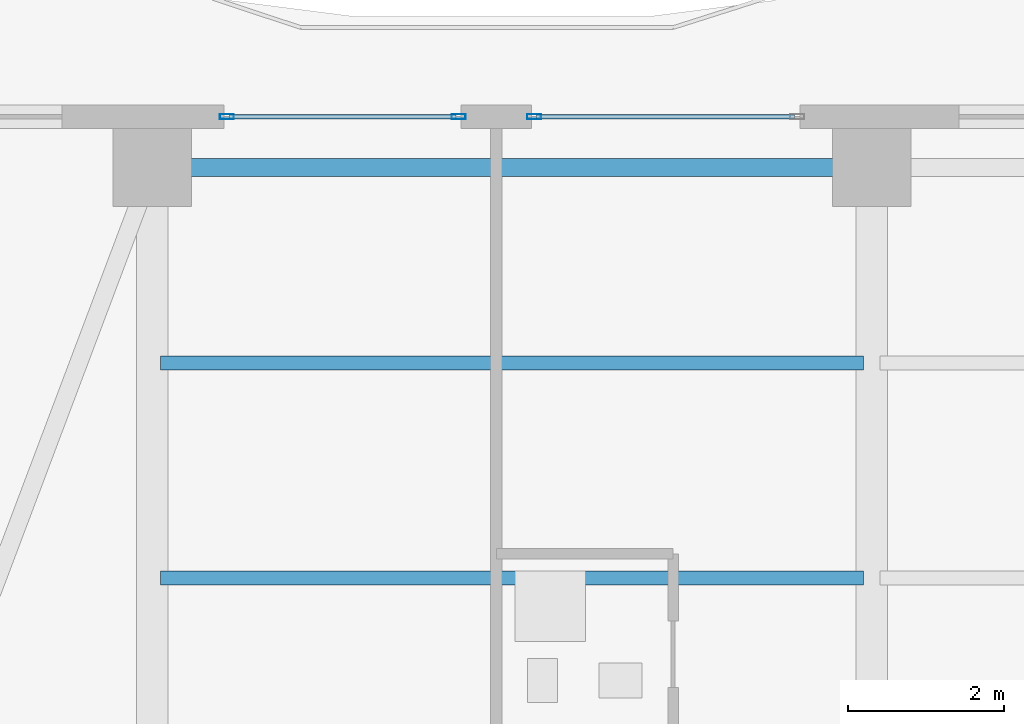
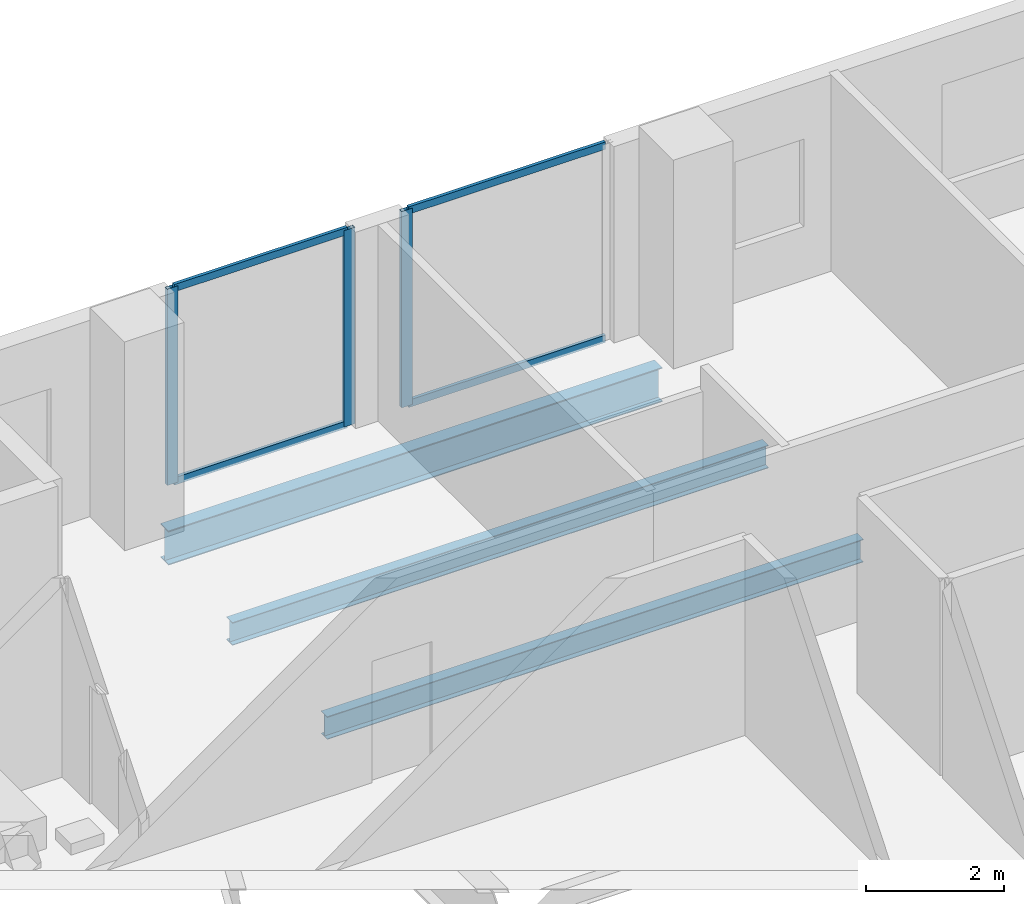
# One storey, part 13 of 24: 7 members, 3 beams, 2 elements without a shape of their own.
"""IFC4 building model written with IfcOpenShell, lengths in metres."""

from ifc_helpers import new_model, si_unit, direction, frame, origin, origin_2d, place, context, subcontext, project, spatial, hollow_rectangle, i_section, extrude, material, layer, layer_set, material_profile, profile_set, type_object, element, aggregate, save


model = new_model("IFC4")

# Units and contexts
model_context = context("Model", 3, precision=1e-05, world=origin(), true_north=direction((0.0, 1.0)))
body_context = subcontext(model_context, "Body", "Model", "MODEL_VIEW")
ifc_project = project(units=[si_unit("LENGTHUNIT", "METRE"), si_unit("AREAUNIT", "SQUARE_METRE"), si_unit("VOLUMEUNIT", "CUBIC_METRE"), si_unit("PLANEANGLEUNIT", "RADIAN"), si_unit("MASSUNIT", "GRAM", prefix="KILO")], contexts=[model_context])

# Site, building, storey
site_placement = place(None, origin())
site = spatial("IfcSite", under=ifc_project, at=site_placement, CompositionType="ELEMENT")
building_placement = place(site_placement, origin())
building = spatial("IfcBuilding", under=site, at=building_placement, Name="Zuhayl Quay Hotel", CompositionType="ELEMENT")
storey_placement = place(building_placement, frame((0.0, 0.0, 280.35009765625)))
storey = spatial("IfcBuildingStorey", under=building, at=storey_placement, Name="L71", CompositionType="ELEMENT", Elevation=280.35009765625)

# Beams
ifc_material_1 = material(Name="Steel ASTM A992 Grade 50", Category="steel")
ifc_material_profile_1 = material_profile(ifc_material_1, i_section(OverallWidth=0.22802734375, OverallDepth=0.60693359375, WebThickness=0.01123046875, FlangeThickness=0.017333984375, at=origin_2d()), Name="W24X76")
ifc_profile_set_1 = profile_set([ifc_material_profile_1], Name="Steel ASTM A992 Grade 50")
beam_type_1 = type_object("IfcBeamType", Name="BM_B3_W24X76", PredefinedType="BEAM", material=ifc_profile_set_1)
beam_placement = place(storey_placement, frame((-5.06005859375, 38.35009765625, -0.523681640625), z_axis=(-1.0, 0.0, 0.0), x_axis=(0.0, -1.0, 0.0)))
element("IfcBeam", 1, at=beam_placement, inside=storey, type_object=beam_type_1, Name="L71 Floor Beam RG_L71_09", PredefinedType="BEAM", context=body_context, shape_type="SweptSolid", body=[
    extrude(i_section(OverallWidth=0.22802734375, OverallDepth=0.60693359375, WebThickness=0.01123046875, FlangeThickness=0.017333984375, at=origin_2d()), origin(), (0.0, 0.0, 1.0), 8.280029296875),
])
ifc_material_profile_2 = material_profile(ifc_material_1, i_section(OverallWidth=0.177978515625, OverallDepth=0.404052734375, WebThickness=0.007568359375, FlangeThickness=0.010986328125, at=origin_2d()), Name="W16X36")
ifc_profile_set_2 = profile_set([ifc_material_profile_2], Name="Steel ASTM A992 Grade 50")
beam_type_2 = type_object("IfcBeamType", Name="BM_J3_W16X36", PredefinedType="JOIST", material=ifc_profile_set_2)
for number, where, z_axis, x_axis, name in (
    (2, (-13.694091796875, 33.10009765625, -0.422119140625), (1.0, 0.0, 0.0), (0.0, 1.0, 0.0), "L71 Floor Beam FJ_L71_7_1"),
    (3, (-13.694091796875, 35.85009765625, -0.422119140625), (1.0, 0.0, 0.0), (0.0, 1.0, 0.0), "L71 Floor Beam FJ_L71_8_1"),
):
    element("IfcBeam", number, at=place(storey_placement, frame(where, z_axis=z_axis, x_axis=x_axis)), inside=storey, type_object=beam_type_2, Name=name, PredefinedType="JOIST", context=body_context, shape_type="SweptSolid", body=[
        extrude(i_section(OverallWidth=0.177978515625, OverallDepth=0.404052734375, WebThickness=0.007568359375, FlangeThickness=0.010986328125, at=origin_2d()), origin(), (0.0, 0.0, 1.0), 8.988037109375),
    ])

# Curtain wall, members
ifc_material_2 = material(Name="Anodised Aluminium 6063-T6", Category="aluminium")
ifc_layer = layer(ifc_material_2, 0.169921875, Name="Anodised Aluminium 6063-T6", Category="aluminium")
ifc_layer_set = layer_set([ifc_layer], Name="Anodised Aluminium 6063-T6")
curtain_wall_type = type_object("IfcCurtainWallType", Name="CW_SYS_Z4", PredefinedType="USERDEFINED", material=ifc_layer_set)
curtain_wall_1_placement = place(storey_placement, origin())
curtain_wall_1 = element("IfcCurtainWall", 4, at=curtain_wall_1_placement, inside=storey, type_object=curtain_wall_type, Name="L71 Curtain Wall ENV_L71_N_CW1", ObjectType="UNITISED CURTAIN WALL", PredefinedType="USERDEFINED")
ifc_material_3 = material(Name="Black-anodised aluminium 6063-T6", Category="aluminium")
ifc_material_profile_3 = material_profile(ifc_material_3, hollow_rectangle(XDim=0.06494140625, YDim=0.179931640625, WallThickness=0.00341796875, at=origin_2d()), Name="ALU180X65")
ifc_profile_set_3 = profile_set([ifc_material_profile_3], Name="Black-anodised aluminium 6063-T6")
member_type_1 = type_object("IfcMemberType", Name="MB_CW_MUL_180", PredefinedType="MULLION", material=ifc_profile_set_3)
member_1_placement = place(storey_placement, frame((-12.847412109375, 39.0, 0.0), z_axis=(0.0, 0.0, 1.0), x_axis=(0.0, 1.0, 0.0)))
member_1 = element("IfcMember", 5, at=member_1_placement, type_object=member_type_1, Name="CW-Z4 mullion 1", PredefinedType="MULLION", context=body_context, shape_type="SweptSolid", body=[
    extrude(hollow_rectangle(XDim=0.06494140625, YDim=0.179931640625, WallThickness=0.00341796875, at=origin_2d()), origin(), (0.0, 0.0, 1.0), 3.47998046875),
])
member_2_placement = place(storey_placement, frame((-9.882568359375, 39.0, 0.0), z_axis=(0.0, 0.0, 1.0), x_axis=(0.0, 1.0, 0.0)))
member_2 = element("IfcMember", 6, at=member_2_placement, type_object=member_type_1, Name="CW-Z4 mullion 2", PredefinedType="MULLION", context=body_context, shape_type="SweptSolid", body=[
    extrude(hollow_rectangle(XDim=0.06494140625, YDim=0.179931640625, WallThickness=0.00341796875, at=origin_2d()), origin(), (0.0, 0.0, 1.0), 3.47998046875),
])

# Curtain wall, member
curtain_wall_2_placement = place(storey_placement, origin())
curtain_wall_2 = element("IfcCurtainWall", 7, at=curtain_wall_2_placement, inside=storey, type_object=curtain_wall_type, Name="L71 Curtain Wall ENV_L71_N_CW2", ObjectType="UNITISED CURTAIN WALL", PredefinedType="USERDEFINED")
member_3_placement = place(storey_placement, frame((-8.91748046875, 39.0, 0.0), z_axis=(0.0, 0.0, 1.0), x_axis=(0.0, 1.0, 0.0)))
member_3 = element("IfcMember", 8, at=member_3_placement, type_object=member_type_1, Name="CW-Z4 mullion 1", PredefinedType="MULLION", context=body_context, shape_type="SweptSolid", body=[
    extrude(hollow_rectangle(XDim=0.06494140625, YDim=0.179931640625, WallThickness=0.00341796875, at=origin_2d()), origin(), (0.0, 0.0, 1.0), 3.47998046875),
])

# Member
ifc_material_profile_4 = material_profile(ifc_material_3, hollow_rectangle(XDim=0.054931640625, YDim=0.1298828125, WallThickness=0.0029296875, at=origin_2d()), Name="ALU130X55")
ifc_profile_set_4 = profile_set([ifc_material_profile_4], Name="Black-anodised aluminium 6063-T6")
member_type_2 = type_object("IfcMemberType", Name="MB_CW_TRN_130", PredefinedType="USERDEFINED", material=ifc_profile_set_4)
member_4_placement = place(storey_placement, frame((-12.81494140625, 39.0, 0.02734375), z_axis=(1.0, 0.0, 0.0), x_axis=(0.0, 1.0, 0.0)))
member_4 = element("IfcMember", 9, at=member_4_placement, type_object=member_type_2, Name="CW-Z4 transom 1.1", ObjectType="TRANSOM", PredefinedType="USERDEFINED", context=body_context, shape_type="SweptSolid", body=[
    extrude(hollow_rectangle(XDim=0.054931640625, YDim=0.1298828125, WallThickness=0.0029296875, at=origin_2d()), origin(), (0.0, 0.0, 1.0), 2.89990234375),
])

member_5_placement = place(storey_placement, frame((-12.81494140625, 39.0, 3.452392578125), z_axis=(1.0, 0.0, 0.0), x_axis=(0.0, 1.0, 0.0)))
member_5 = element("IfcMember", 10, at=member_5_placement, type_object=member_type_2, Name="CW-Z4 transom 1.2", ObjectType="TRANSOM", PredefinedType="USERDEFINED", context=body_context, shape_type="SweptSolid", body=[
    extrude(hollow_rectangle(XDim=0.054931640625, YDim=0.1298828125, WallThickness=0.0029296875, at=origin_2d()), origin(), (0.0, 0.0, 1.0), 2.89990234375),
])

aggregate(curtain_wall_1, [member_1, member_2, member_4, member_5])

member_6_placement = place(storey_placement, frame((-8.885009765625, 39.0, 0.02734375), z_axis=(1.0, 0.0, 0.0), x_axis=(0.0, 1.0, 0.0)))
member_6 = element("IfcMember", 11, at=member_6_placement, type_object=member_type_2, Name="CW-Z4 transom 1.1", ObjectType="TRANSOM", PredefinedType="USERDEFINED", context=body_context, shape_type="SweptSolid", body=[
    extrude(hollow_rectangle(XDim=0.054931640625, YDim=0.1298828125, WallThickness=0.0029296875, at=origin_2d()), origin(), (0.0, 0.0, 1.0), 3.300048828125),
])

member_7_placement = place(storey_placement, frame((-8.885009765625, 39.0, 3.452392578125), z_axis=(1.0, 0.0, 0.0), x_axis=(0.0, 1.0, 0.0)))
member_7 = element("IfcMember", 12, at=member_7_placement, type_object=member_type_2, Name="CW-Z4 transom 1.2", ObjectType="TRANSOM", PredefinedType="USERDEFINED", context=body_context, shape_type="SweptSolid", body=[
    extrude(hollow_rectangle(XDim=0.054931640625, YDim=0.1298828125, WallThickness=0.0029296875, at=origin_2d()), origin(), (0.0, 0.0, 1.0), 3.300048828125),
])

aggregate(curtain_wall_2, [member_3, member_6, member_7])

save(model, "model.ifc")
